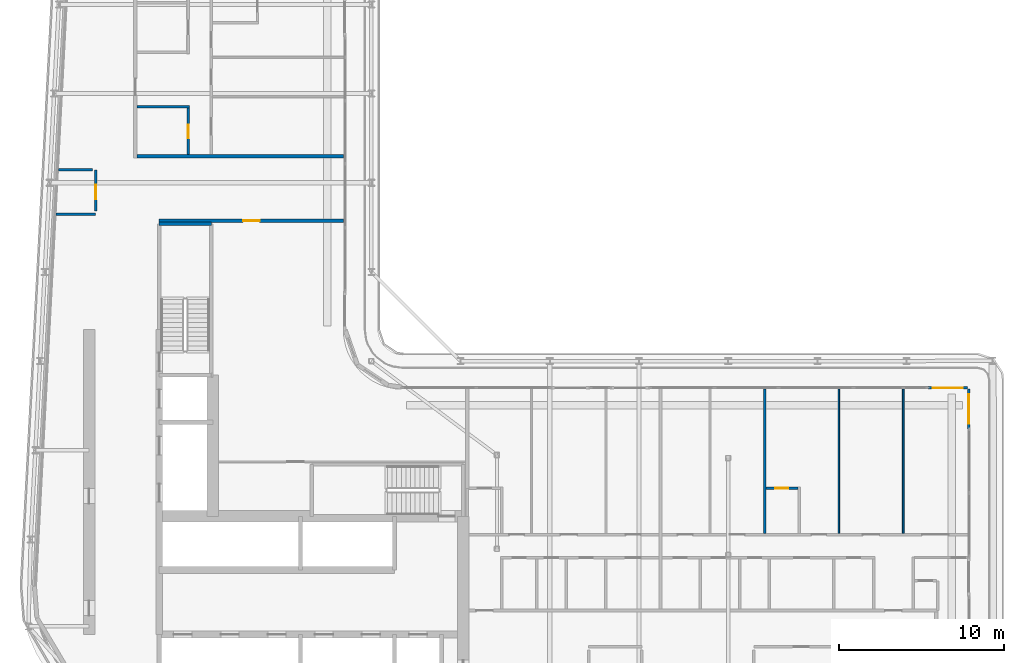
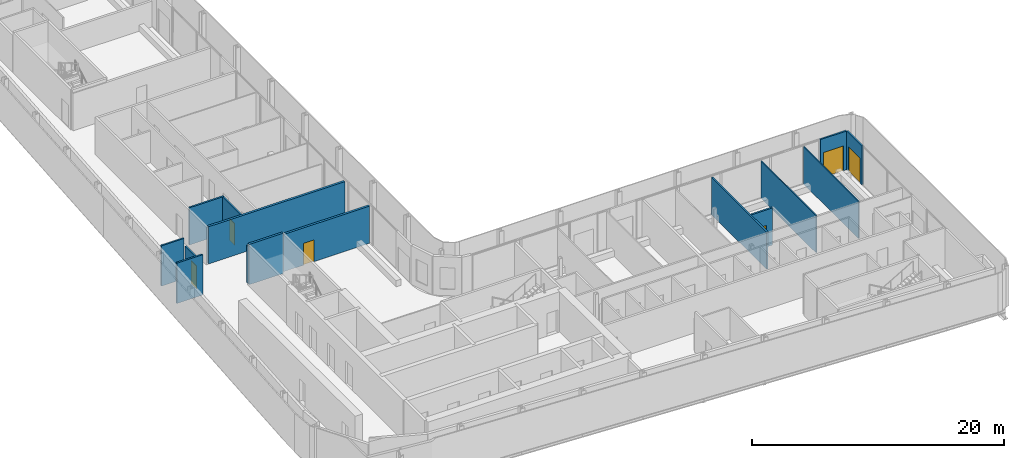
# One storey, part 13 of 23: 14 walls, 6 doors, 6 openings.
"""IFC4 building model written with IfcOpenShell, lengths in metres."""

from ifc_helpers import new_model, si_unit, direction, frame, frame_2d, origin, place, context, subcontext, project, spatial, rectangle, extrude, source, transform, mapped, material, layer, layer_set, type_object, element, fill, save


model = new_model("IFC4")

# Units and contexts
model_context = context("Model", 3, precision=1e-05, world=origin(), true_north=direction((0.0, 1.0)))
body_context = subcontext(model_context, "Body", "Model", "MODEL_VIEW")
ifc_project = project(units=[si_unit("LENGTHUNIT", "METRE"), si_unit("AREAUNIT", "SQUARE_METRE"), si_unit("VOLUMEUNIT", "CUBIC_METRE"), si_unit("PLANEANGLEUNIT", "RADIAN"), si_unit("MASSUNIT", "GRAM", prefix="KILO")], contexts=[model_context])

# Site, building, storey
site_placement = place(None, origin())
site = spatial("IfcSite", under=ifc_project, at=site_placement, CompositionType="ELEMENT")
building_placement = place(site_placement, origin())
building = spatial("IfcBuilding", under=site, at=building_placement, Name="Kheshtan School and Residences Tower", CompositionType="ELEMENT")
storey_placement = place(building_placement, frame((0.0, 0.0, 259.10009765625)))
storey = spatial("IfcBuildingStorey", under=building, at=storey_placement, Name="L61", CompositionType="ELEMENT", Elevation=259.10009765625)

# Wall
ifc_material_1 = material(Name="Gypsum board on steel studs with fire boards", Category="steel")
ifc_layer_1 = layer(ifc_material_1, 0.199951171875)
ifc_layer_set_1 = layer_set([ifc_layer_1], Name="Corridor wall 200")
wall_type_1 = type_object("IfcWallType", Name="Corridor wall 200", PredefinedType="PARTITIONING", material=ifc_layer_set_1)
wall_1_placement = place(storey_placement, frame((33.39990234375, 58.0, 0.0), z_axis=(0.0, 0.0, 1.0), x_axis=(1.0, 0.0, 0.0)))
element("IfcWall", 1, at=wall_1_placement, inside=storey, type_object=wall_type_1, Name="Partition L61-006", PredefinedType="PARTITIONING", context=body_context, shape_type="SweptSolid", body=[
    extrude(rectangle(XDim=12.5, YDim=0.199951171875, at=frame_2d((6.25, 0.0))), origin(), (0.0, 0.0, 1.0), 3.599853515625),
])

# Wall, opening, door
wall_2_placement = place(storey_placement, frame((34.75, 54.10009765625, 0.0), z_axis=(0.0, 0.0, 1.0), x_axis=(1.0, 0.0, 0.0)))
wall_2 = element("IfcWall", 2, at=wall_2_placement, inside=storey, type_object=wall_type_1, Name="Partition L61-014", PredefinedType="PARTITIONING", context=body_context, shape_type="SweptSolid", body=[
    extrude(rectangle(XDim=11.14990234375, YDim=0.199951171875, at=frame_2d((5.574951171875, 0.0))), origin(), (0.0, 0.0, 1.0), 3.599853515625),
])
opening_1_placement = place(wall_2_placement, frame((5.074951171875, 0.0, 0.0)))
opening_1 = element("IfcOpeningElement", 3, at=opening_1_placement, cuts=wall_2, Name="Opening D61-043", PredefinedType="OPENING", context=body_context, shape_type="SweptSolid", body=[
    extrude(rectangle(XDim=1.0, YDim=2.10009765625, at=frame_2d((0.5, 1.050048828125))), frame((0.0, 0.10986328125, 0.0), z_axis=(0.0, -1.0, 0.0), x_axis=(1.0, 0.0, 0.0)), (0.0, 0.0, 1.0), 0.219970703125),
])
ifc_material_2 = material(Name="Steel-framed fire-resisting door leaf", Category="steel")
door_type_1 = type_object("IfcDoorType", Name="Fire door FD60 1000 x 2100", OperationType="SINGLE_SWING_LEFT", PredefinedType="DOOR", material=ifc_material_2)
shared_shape_1 = source(origin(), body_context, "Body", "SweptSolid", [
    extrude(rectangle(XDim=1.0, YDim=2.10009765625, at=frame_2d((0.5, 1.050048828125))), frame((0.0, 0.02490234375, 0.0), z_axis=(0.0, -1.0, 0.0), x_axis=(1.0, 0.0, 0.0)), (0.0, 0.0, 1.0), 0.050048828125),
])
door_1_placement = place(opening_1_placement, origin())
door_1 = element("IfcDoor", 4, at=door_1_placement, inside=storey, type_object=door_type_1, Name="Door D61-043", OperationType="SINGLE_SWING_RIGHT", OverallHeight=2.10009765625, OverallWidth=1.0, PredefinedType="DOOR", context=body_context, shape_type="MappedRepresentation", body=[
    mapped(shared_shape_1, transform((0.0, 0.0, 0.0), x_axis=(1.0, 0.0, 0.0), y_axis=(0.0, 1.0, 0.0), z_axis=(0.0, 0.0, 1.0), scale=1.0)),
])
fill(opening_1, door_1)

ifc_material_3 = material(Name="Aluminium frame wall with insulated infill", Category="aluminium")
ifc_layer_2 = layer(ifc_material_3, 0.14990234375)
ifc_layer_set_2 = layer_set([ifc_layer_2], Name="Glazing frame wall 150")
wall_type_2 = type_object("IfcWallType", Name="Glazing frame wall 150", PredefinedType="SOLIDWALL", material=ifc_layer_set_2)
wall_3_placement = place(storey_placement, frame((81.300048828125, 43.97509765625, 0.0), z_axis=(0.0, 0.0, 1.0), x_axis=(1.0, 0.0, 0.0)))
wall_3 = element("IfcWall", 5, at=wall_3_placement, inside=storey, type_object=wall_type_2, Name="Balcony door wall L61 12.3", PredefinedType="SOLIDWALL", context=body_context, shape_type="SweptSolid", body=[
    extrude(rectangle(XDim=2.39990234375, YDim=0.14990234375, at=frame_2d((1.199951171875, 0.0))), origin(), (0.0, 0.0, 1.0), 3.75),
])
opening_2_placement = place(wall_3_placement, frame((0.300048828125, 0.0, 0.0)))
opening_2 = element("IfcOpeningElement", 6, at=opening_2_placement, cuts=wall_3, Name="Opening BD", PredefinedType="OPENING", context=body_context, shape_type="SweptSolid", body=[
    extrude(rectangle(XDim=1.800048828125, YDim=2.39990234375, at=frame_2d((0.89990234375, 1.199951171875))), frame((0.0, 0.0849609375, 0.0), z_axis=(0.0, -1.0, 0.0), x_axis=(1.0, 0.0, 0.0)), (0.0, 0.0, 1.0), 0.169921875),
])
ifc_material_4 = material(Name="Clear low-e glass in thermally broken aluminium frame", Category="aluminium")
door_type_2 = type_object("IfcDoorType", Name="Balcony sliding door", OperationType="SLIDING_TO_LEFT", PredefinedType="DOOR", material=ifc_material_4)
shared_shape_2 = source(origin(), body_context, "Body", "SweptSolid", [
    extrude(rectangle(XDim=1.800048828125, YDim=2.39990234375, at=frame_2d((0.89990234375, 1.199951171875))), frame((0.0, 0.02490234375, 0.0), z_axis=(0.0, -1.0, 0.0), x_axis=(1.0, 0.0, 0.0)), (0.0, 0.0, 1.0), 0.050048828125),
])
door_2_placement = place(opening_2_placement, origin())
door_2 = element("IfcDoor", 7, at=door_2_placement, inside=storey, type_object=door_type_2, Name="Balcony door L61 12.3", OperationType="SLIDING_TO_LEFT", OverallHeight=2.39990234375, OverallWidth=1.800048828125, PredefinedType="DOOR", context=body_context, shape_type="MappedRepresentation", body=[
    mapped(shared_shape_2, transform((0.0, 0.0, 0.0), x_axis=(1.0, 0.0, 0.0), y_axis=(0.0, 1.0, 0.0), z_axis=(0.0, 0.0, 1.0), scale=1.0)),
])
fill(opening_2, door_2)

wall_4_placement = place(storey_placement, frame((83.77490234375, 43.89990234375, 0.0), z_axis=(0.0, 0.0, 1.0), x_axis=(0.0, -1.0, 0.0)))
wall_4 = element("IfcWall", 8, at=wall_4_placement, inside=storey, type_object=wall_type_2, Name="Balcony door wall L61 13.1", PredefinedType="SOLIDWALL", context=body_context, shape_type="SweptSolid", body=[
    extrude(rectangle(XDim=2.39990234375, YDim=0.14990234375, at=frame_2d((1.199951171875, 0.0))), origin(), (0.0, 0.0, 1.0), 3.75),
])
opening_3_placement = place(wall_4_placement, frame((0.300048828125, 0.0, 0.0)))
opening_3 = element("IfcOpeningElement", 9, at=opening_3_placement, cuts=wall_4, Name="Opening BD", PredefinedType="OPENING", context=body_context, shape_type="SweptSolid", body=[
    extrude(rectangle(XDim=1.800048828125, YDim=2.39990234375, at=frame_2d((0.89990234375, 1.199951171875))), frame((0.0, 0.0849609375, 0.0), z_axis=(0.0, -1.0, 0.0), x_axis=(1.0, 0.0, 0.0)), (0.0, 0.0, 1.0), 0.169921875),
])
door_3_placement = place(opening_3_placement, origin())
door_3 = element("IfcDoor", 10, at=door_3_placement, inside=storey, type_object=door_type_2, Name="Balcony door L61 13.1", OperationType="SLIDING_TO_LEFT", OverallHeight=2.39990234375, OverallWidth=1.800048828125, PredefinedType="DOOR", context=body_context, shape_type="MappedRepresentation", body=[
    mapped(shared_shape_2, transform((0.0, 0.0, 0.0), x_axis=(1.0, 0.0, 0.0), y_axis=(0.0, 1.0, 0.0), z_axis=(0.0, 0.0, 1.0), scale=1.0)),
])
fill(opening_3, door_3)

# Walls
ifc_material_5 = material(Name="Gypsum board on steel studs", Category="steel")
ifc_layer_3 = layer(ifc_material_5, 0.10009765625)
ifc_layer_set_3 = layer_set([ifc_layer_3], Name="Gypsum partition 100")
wall_type_3 = type_object("IfcWallType", Name="Gypsum partition 100", PredefinedType="PARTITIONING", material=ifc_layer_set_3)
for number, where, z_axis, x_axis, name in (
    (11, (75.89990234375, 35.175048828125, 0.0), (0.0, 0.0, 1.0), (0.0, 1.0, 0.0), "Partition L61-055"),
    (12, (79.800048828125, 35.175048828125, 0.0), (0.0, 0.0, 1.0), (0.0, 1.0, 0.0), "Partition L61-057"),
):
    element("IfcWall", number, at=place(storey_placement, frame(where, z_axis=z_axis, x_axis=x_axis)), inside=storey, type_object=wall_type_3, Name=name, PredefinedType="PARTITIONING", context=body_context, shape_type="SweptSolid", body=[
        extrude(rectangle(XDim=8.724853515625, YDim=0.10009765625, at=frame_2d((4.3623046875, 0.0))), origin(), (0.0, 0.0, 1.0), 3.599853515625),
    ])
ifc_material_6 = material(Name="Fire-board shaft wall system")
ifc_layer_4 = layer(ifc_material_6, 0.14990234375)
ifc_layer_set_4 = layer_set([ifc_layer_4], Name="Service room wall 150")
wall_type_4 = type_object("IfcWallType", Name="Service room wall 150", PredefinedType="PARTITIONING", material=ifc_layer_set_4)
wall_5_placement = place(storey_placement, frame((28.508056640625, 54.5, 0.0), z_axis=(0.0, 0.0, 1.0), x_axis=(1.0, 0.0, 0.0)))
element("IfcWall", 13, at=wall_5_placement, inside=storey, type_object=wall_type_4, Name="Service room wall", PredefinedType="PARTITIONING", context=body_context, shape_type="SweptSolid", body=[
    extrude(rectangle(XDim=2.391845703125, YDim=0.14990234375, at=frame_2d((1.19580078125, 0.0))), origin(), (0.0, 0.0, 1.0), 3.89990234375),
])

# Wall, opening, door
wall_6_placement = place(storey_placement, frame((30.89990234375, 54.695068359375, 0.0), z_axis=(0.0, 0.0, 1.0), x_axis=(0.0, 1.0, 0.0)))
wall_6 = element("IfcWall", 14, at=wall_6_placement, inside=storey, type_object=wall_type_4, Name="Service room wall", PredefinedType="PARTITIONING", context=body_context, shape_type="SweptSolid", body=[
    extrude(rectangle(XDim=2.48681640625, YDim=0.14990234375, at=frame_2d((1.243408203125, 0.0))), origin(), (0.0, 0.0, 1.0), 3.072021484375),
])
opening_4_placement = place(wall_6_placement, frame((0.696044921875, 0.0, 0.0)))
opening_4 = element("IfcOpeningElement", 15, at=opening_4_placement, cuts=wall_6, Name="Opening SR90", PredefinedType="OPENING", context=body_context, shape_type="SweptSolid", body=[
    extrude(rectangle(XDim=0.89990234375, YDim=2.199951171875, at=frame_2d((0.449951171875, 1.10009765625))), frame((0.0, 0.0849609375, 0.0), z_axis=(0.0, -1.0, 0.0), x_axis=(1.0, 0.0, 0.0)), (0.0, 0.0, 1.0), 0.169921875),
])
ifc_material_7 = material(Name="Steel door leaf, galvanised", Category="steel")
door_type_3 = type_object("IfcDoorType", Name="Service room door 900 steel 90 min", OperationType="SINGLE_SWING_LEFT", PredefinedType="DOOR", material=ifc_material_7)
shared_shape_3 = source(origin(), body_context, "Body", "SweptSolid", [
    extrude(rectangle(XDim=0.89990234375, YDim=2.199951171875, at=frame_2d((0.449951171875, 1.10009765625))), frame((0.0, 0.02490234375, 0.0), z_axis=(0.0, -1.0, 0.0), x_axis=(1.0, 0.0, 0.0)), (0.0, 0.0, 1.0), 0.050048828125),
])
door_4_placement = place(opening_4_placement, origin())
door_4 = element("IfcDoor", 16, at=door_4_placement, inside=storey, type_object=door_type_3, Name="Service room door", OperationType="SINGLE_SWING_LEFT", OverallHeight=2.199951171875, OverallWidth=0.89990234375, PredefinedType="DOOR", context=body_context, shape_type="MappedRepresentation", body=[
    mapped(shared_shape_3, transform((0.0, 0.0, 0.0), x_axis=(1.0, 0.0, 0.0), y_axis=(0.0, 1.0, 0.0), z_axis=(0.0, 0.0, 1.0), scale=1.0)),
])
fill(opening_4, door_4)

# Walls
wall_7_placement = place(storey_placement, frame((28.64892578125, 57.181884765625, 0.0), z_axis=(0.0, 0.0, 1.0), x_axis=(1.0, 0.0, 0.0)))
element("IfcWall", 17, at=wall_7_placement, inside=storey, type_object=wall_type_4, Name="Service room wall", PredefinedType="PARTITIONING", context=body_context, shape_type="SweptSolid", body=[
    extrude(rectangle(XDim=2.05615234375, YDim=0.14990234375, at=frame_2d((1.028076171875, 0.0))), origin(), (0.0, 0.0, 1.0), 3.89990234375),
])
ifc_material_8 = material(Name="Concrete C40/50", Category="concrete")
ifc_layer_5 = layer(ifc_material_8, 0.199951171875)
ifc_layer_set_5 = layer_set([ifc_layer_5], Name="Stair enclosure wall 200 Concrete C40/50")
wall_type_5 = type_object("IfcWallType", Name="Stair enclosure wall 200 Concrete C40/50", PredefinedType="SHEAR", material=ifc_layer_set_5)
wall_8_placement = place(storey_placement, frame((34.75, 53.909912109375, 0.0), z_axis=(0.0, 0.0, 1.0), x_axis=(1.0, 0.0, 0.0)))
element("IfcWall", 18, at=wall_8_placement, inside=storey, type_object=wall_type_5, Name="Stair enclosure wall ST2", PredefinedType="SHEAR", context=body_context, shape_type="SweptSolid", body=[
    extrude(rectangle(XDim=3.14990234375, YDim=0.199951171875, at=frame_2d((1.574951171875, 0.0))), origin(), (0.0, 0.0, 1.0), 3.89990234375),
])
ifc_material_9 = material(Name="Moisture-resistant gypsum board on steel studs", Category="steel")
ifc_layer_6 = layer(ifc_material_9, 0.14990234375)
ifc_layer_set_6 = layer_set([ifc_layer_6], Name="Wet-room partition 150")
wall_type_6 = type_object("IfcWallType", Name="Wet-room partition 150", PredefinedType="PARTITIONING", material=ifc_layer_set_6)
wall_9_placement = place(storey_placement, frame((33.39990234375, 61.0, 0.0), z_axis=(0.0, 0.0, 1.0), x_axis=(1.0, 0.0, 0.0)))
element("IfcWall", 19, at=wall_9_placement, inside=storey, type_object=wall_type_6, Name="Partition L61-007", PredefinedType="PARTITIONING", context=body_context, shape_type="SweptSolid", body=[
    extrude(rectangle(XDim=3.175048828125, YDim=0.14990234375, at=frame_2d((1.58740234375, 0.0))), origin(), (0.0, 0.0, 1.0), 3.599853515625),
])

# Wall, opening, door
wall_10_placement = place(storey_placement, frame((36.5, 58.10009765625, 0.0), z_axis=(0.0, 0.0, 1.0), x_axis=(0.0, 1.0, 0.0)))
wall_10 = element("IfcWall", 20, at=wall_10_placement, inside=storey, type_object=wall_type_6, Name="Partition L61-016", PredefinedType="PARTITIONING", context=body_context, shape_type="SweptSolid", body=[
    extrude(rectangle(XDim=2.824951171875, YDim=0.14990234375, at=frame_2d((1.41259765625, 0.0))), origin(), (0.0, 0.0, 1.0), 3.599853515625),
])
opening_5_placement = place(wall_10_placement, frame((1.0, 0.0, 0.0)))
opening_5 = element("IfcOpeningElement", 21, at=opening_5_placement, cuts=wall_10, Name="Opening D61-034", PredefinedType="OPENING", context=body_context, shape_type="SweptSolid", body=[
    extrude(rectangle(XDim=0.800048828125, YDim=2.10009765625, at=frame_2d((0.39990234375, 1.050048828125))), frame((0.0, 0.0849609375, 0.0), z_axis=(0.0, -1.0, 0.0), x_axis=(1.0, 0.0, 0.0)), (0.0, 0.0, 1.0), 0.169921875),
])
ifc_material_10 = material(Name="Veneered timber door leaf", Category="wood")
door_type_4 = type_object("IfcDoorType", Name="Door 800 x 2100", OperationType="SINGLE_SWING_LEFT", PredefinedType="DOOR", material=ifc_material_10)
shared_shape_4 = source(origin(), body_context, "Body", "SweptSolid", [
    extrude(rectangle(XDim=0.800048828125, YDim=2.10009765625, at=frame_2d((0.39990234375, 1.050048828125))), frame((0.0, 0.02490234375, 0.0), z_axis=(0.0, -1.0, 0.0), x_axis=(1.0, 0.0, 0.0)), (0.0, 0.0, 1.0), 0.050048828125),
])
door_5_placement = place(opening_5_placement, origin())
door_5 = element("IfcDoor", 22, at=door_5_placement, inside=storey, type_object=door_type_4, Name="Door D61-034", OperationType="SINGLE_SWING_RIGHT", OverallHeight=2.10009765625, OverallWidth=0.800048828125, PredefinedType="DOOR", context=body_context, shape_type="MappedRepresentation", body=[
    mapped(shared_shape_4, transform((0.0, 0.0, 0.0), x_axis=(1.0, 0.0, 0.0), y_axis=(0.0, 1.0, 0.0), z_axis=(0.0, 0.0, 1.0), scale=1.0)),
])
fill(opening_5, door_5)

# Wall
wall_11_placement = place(storey_placement, frame((71.39990234375, 35.175048828125, 0.0), z_axis=(0.0, 0.0, 1.0), x_axis=(0.0, 1.0, 0.0)))
element("IfcWall", 23, at=wall_11_placement, inside=storey, type_object=wall_type_6, Name="Partition L61-050", PredefinedType="PARTITIONING", context=body_context, shape_type="SweptSolid", body=[
    extrude(rectangle(XDim=8.724853515625, YDim=0.14990234375, at=frame_2d((4.3623046875, 0.0))), origin(), (0.0, 0.0, 1.0), 3.599853515625),
])

# Wall, opening, door
wall_12_placement = place(storey_placement, frame((71.47509765625, 37.89990234375, 0.0), z_axis=(0.0, 0.0, 1.0), x_axis=(1.0, 0.0, 0.0)))
wall_12 = element("IfcWall", 24, at=wall_12_placement, inside=storey, type_object=wall_type_6, Name="Partition L61-051", PredefinedType="PARTITIONING", context=body_context, shape_type="SweptSolid", body=[
    extrude(rectangle(XDim=1.949951171875, YDim=0.14990234375, at=frame_2d((0.97509765625, 0.0))), origin(), (0.0, 0.0, 1.0), 3.599853515625),
])
opening_6_placement = place(wall_12_placement, frame((0.574951171875, 0.0, 0.0)))
opening_6 = element("IfcOpeningElement", 25, at=opening_6_placement, cuts=wall_12, Name="Opening D61-015", PredefinedType="OPENING", context=body_context, shape_type="SweptSolid", body=[
    extrude(rectangle(XDim=0.800048828125, YDim=2.10009765625, at=frame_2d((0.39990234375, 1.050048828125))), frame((0.0, 0.0849609375, 0.0), z_axis=(0.0, -1.0, 0.0), x_axis=(1.0, 0.0, 0.0)), (0.0, 0.0, 1.0), 0.169921875),
])
door_6_placement = place(opening_6_placement, origin())
door_6 = element("IfcDoor", 26, at=door_6_placement, inside=storey, type_object=door_type_4, Name="Door D61-015", OperationType="SINGLE_SWING_LEFT", OverallHeight=2.10009765625, OverallWidth=0.800048828125, PredefinedType="DOOR", context=body_context, shape_type="MappedRepresentation", body=[
    mapped(shared_shape_4, transform((0.0, 0.0, 0.0), x_axis=(1.0, 0.0, 0.0), y_axis=(0.0, 1.0, 0.0), z_axis=(0.0, 0.0, 1.0), scale=1.0)),
])
fill(opening_6, door_6)

save(model, "model.ifc")
